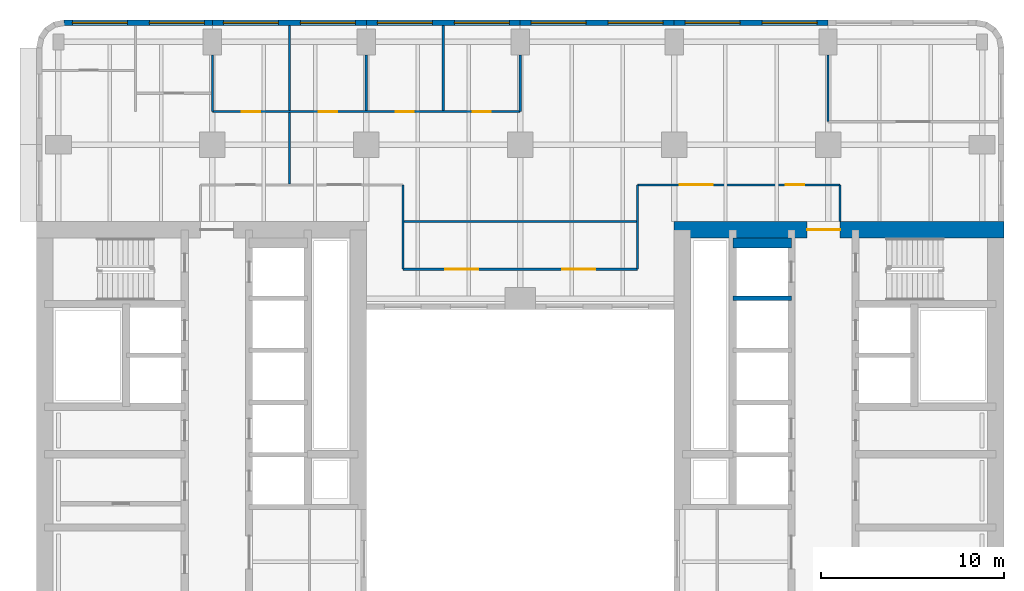
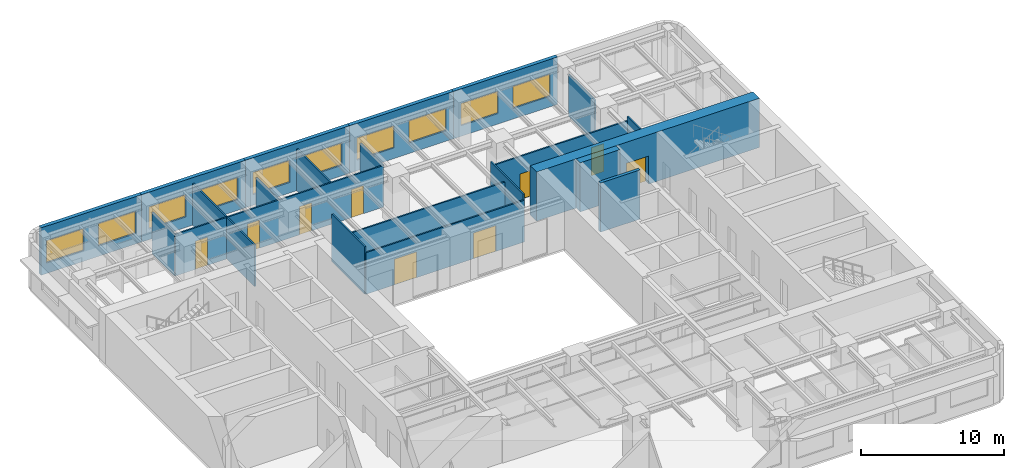
# One storey, part 7 of 11: 22 walls, 10 windows, 9 doors, 19 openings.
"""IFC4 building model written with IfcOpenShell, lengths in metres."""

from ifc_helpers import new_model, si_unit, direction, frame, frame_2d, origin, place, context, subcontext, project, spatial, rectangle, extrude, material, layer, layer_set, type_object, element, fill, save


model = new_model("IFC4")

# Units and contexts
model_context = context("Model", 3, precision=1e-05, world=origin(), true_north=direction((0.0, 1.0)))
body_context = subcontext(model_context, "Body", "Model", "MODEL_VIEW")
ifc_project = project(units=[si_unit("LENGTHUNIT", "METRE"), si_unit("AREAUNIT", "SQUARE_METRE"), si_unit("VOLUMEUNIT", "CUBIC_METRE"), si_unit("PLANEANGLEUNIT", "RADIAN"), si_unit("MASSUNIT", "GRAM", prefix="KILO")], contexts=[model_context])

# Site, building, storey
site_placement = place(None, origin())
site = spatial("IfcSite", under=ifc_project, at=site_placement, CompositionType="ELEMENT")
building_placement = place(site_placement, origin())
building = spatial("IfcBuilding", under=site, at=building_placement, Name="Claustro Exchange Tower", CompositionType="ELEMENT")
storey_placement = place(building_placement, frame((0.0, 0.0, 130.199951171875)))
storey = spatial("IfcBuildingStorey", under=building, at=storey_placement, Name="L29", CompositionType="ELEMENT", Elevation=130.199951171875)

# Wall, openings, doors
ifc_material_1 = material(Name="Laminated glass in aluminium frame", Category="aluminium")
ifc_layer_1 = layer(ifc_material_1, 0.1201171875)
ifc_layer_set_1 = layer_set([ifc_layer_1], Name="Laminated glass in aluminium frame")
wall_type_1 = type_object("IfcWallType", Name="P2 120 glazed partition", PredefinedType="PARTITIONING", material=ifc_layer_set_1)
wall_1_placement = place(storey_placement, frame((8.39990234375, 43.800048828125, 0.0), z_axis=(0.0, 0.0, 1.0), x_axis=(1.0, 0.0, 0.0)))
wall_1 = element("IfcWall", 1, at=wall_1_placement, inside=storey, type_object=wall_type_1, Name="Partition P2 L29", PredefinedType="PARTITIONING", context=body_context, shape_type="SweptSolid", body=[
    extrude(rectangle(XDim=16.800048828125, YDim=0.1201171875, at=frame_2d((8.39990234375, 0.0))), origin(), (0.0, 0.0, 1.0), 3.550048828125),
])
opening_1_placement = place(wall_1_placement, frame((1.60009765625, 0.0, 0.0)))
opening_1 = element("IfcOpeningElement", 2, at=opening_1_placement, cuts=wall_1, Name="Opening D7", PredefinedType="OPENING", context=body_context, shape_type="SweptSolid", body=[
    extrude(rectangle(XDim=1.0, YDim=2.39990234375, at=frame_2d((0.5, 1.199951171875))), frame((0.0, 0.070068359375, 0.0), z_axis=(0.0, -1.0, 0.0), x_axis=(1.0, 0.0, 0.0)), (0.0, 0.0, 1.0), 0.14013671875),
])
opening_2_placement = place(wall_1_placement, frame((5.800048828125, 0.0, 0.0)))
opening_2 = element("IfcOpeningElement", 3, at=opening_2_placement, cuts=wall_1, Name="Opening D7", PredefinedType="OPENING", context=body_context, shape_type="SweptSolid", body=[
    extrude(rectangle(XDim=1.0, YDim=2.39990234375, at=frame_2d((0.5, 1.199951171875))), frame((0.0, 0.070068359375, 0.0), z_axis=(0.0, -1.0, 0.0), x_axis=(1.0, 0.0, 0.0)), (0.0, 0.0, 1.0), 0.14013671875),
])
opening_3_placement = place(wall_1_placement, frame((10.0, 0.0, 0.0)))
opening_3 = element("IfcOpeningElement", 4, at=opening_3_placement, cuts=wall_1, Name="Opening D7", PredefinedType="OPENING", context=body_context, shape_type="SweptSolid", body=[
    extrude(rectangle(XDim=1.0, YDim=2.39990234375, at=frame_2d((0.5, 1.199951171875))), frame((0.0, 0.070068359375, 0.0), z_axis=(0.0, -1.0, 0.0), x_axis=(1.0, 0.0, 0.0)), (0.0, 0.0, 1.0), 0.14013671875),
])
opening_4_placement = place(wall_1_placement, frame((14.199951171875, 0.0, 0.0)))
opening_4 = element("IfcOpeningElement", 5, at=opening_4_placement, cuts=wall_1, Name="Opening D7", PredefinedType="OPENING", context=body_context, shape_type="SweptSolid", body=[
    extrude(rectangle(XDim=1.0, YDim=2.39990234375, at=frame_2d((0.5, 1.199951171875))), frame((0.0, 0.070068359375, 0.0), z_axis=(0.0, -1.0, 0.0), x_axis=(1.0, 0.0, 0.0)), (0.0, 0.0, 1.0), 0.14013671875),
])
ifc_material_2 = material(Name="Glass door in aluminium frame", Category="aluminium")
door_type_1 = type_object("IfcDoorType", Name="D7 1000 x 2400 glazed door", OperationType="SINGLE_SWING_LEFT", PredefinedType="DOOR", material=ifc_material_2)
door_1_placement = place(opening_1_placement, origin())
door_1 = element("IfcDoor", 6, at=door_1_placement, inside=storey, type_object=door_type_1, Name="Door D7 L29", OperationType="SINGLE_SWING_RIGHT", OverallHeight=2.39990234375, OverallWidth=1.0, PredefinedType="DOOR", context=body_context, shape_type="SweptSolid", body=[
    extrude(rectangle(XDim=1.0, YDim=2.39990234375, at=frame_2d((0.5, 1.199951171875))), frame((0.0, 0.02490234375, 0.0), z_axis=(0.0, -1.0, 0.0), x_axis=(1.0, 0.0, 0.0)), (0.0, 0.0, 1.0), 0.050048828125),
])
fill(opening_1, door_1)
door_2_placement = place(opening_2_placement, origin())
door_2 = element("IfcDoor", 7, at=door_2_placement, inside=storey, type_object=door_type_1, Name="Door D7 L29", OperationType="SINGLE_SWING_LEFT", OverallHeight=2.39990234375, OverallWidth=1.0, PredefinedType="DOOR", context=body_context, shape_type="SweptSolid", body=[
    extrude(rectangle(XDim=1.0, YDim=2.39990234375, at=frame_2d((0.5, 1.199951171875))), frame((0.0, 0.02490234375, 0.0), z_axis=(0.0, -1.0, 0.0), x_axis=(1.0, 0.0, 0.0)), (0.0, 0.0, 1.0), 0.050048828125),
])
fill(opening_2, door_2)
door_3_placement = place(opening_3_placement, origin())
door_3 = element("IfcDoor", 8, at=door_3_placement, inside=storey, type_object=door_type_1, Name="Door D7 L29", OperationType="SINGLE_SWING_LEFT", OverallHeight=2.39990234375, OverallWidth=1.0, PredefinedType="DOOR", context=body_context, shape_type="SweptSolid", body=[
    extrude(rectangle(XDim=1.0, YDim=2.39990234375, at=frame_2d((0.5, 1.199951171875))), frame((0.0, 0.02490234375, 0.0), z_axis=(0.0, -1.0, 0.0), x_axis=(1.0, 0.0, 0.0)), (0.0, 0.0, 1.0), 0.050048828125),
])
fill(opening_3, door_3)
door_4_placement = place(opening_4_placement, origin())
door_4 = element("IfcDoor", 9, at=door_4_placement, inside=storey, type_object=door_type_1, Name="Door D7 L29", OperationType="SINGLE_SWING_RIGHT", OverallHeight=2.39990234375, OverallWidth=1.0, PredefinedType="DOOR", context=body_context, shape_type="SweptSolid", body=[
    extrude(rectangle(XDim=1.0, YDim=2.39990234375, at=frame_2d((0.5, 1.199951171875))), frame((0.0, 0.02490234375, 0.0), z_axis=(0.0, -1.0, 0.0), x_axis=(1.0, 0.0, 0.0)), (0.0, 0.0, 1.0), 0.050048828125),
])
fill(opening_4, door_4)

# Walls
wall_2_placement = place(storey_placement, frame((8.39990234375, 43.800048828125, 0.0), z_axis=(0.0, 0.0, 1.0), x_axis=(0.0, 1.0, 0.0)))
element("IfcWall", 10, at=wall_2_placement, inside=storey, type_object=wall_type_1, Name="Partition P2 L29", PredefinedType="PARTITIONING", context=body_context, shape_type="SweptSolid", body=[
    extrude(rectangle(XDim=3.100830078125, YDim=0.1201171875, at=frame_2d((1.55029296875, 0.0))), origin(), (0.0, 0.0, 1.0), 3.550048828125),
])
wall_3_placement = place(storey_placement, frame((12.60009765625, 43.85791015625, 0.0), z_axis=(0.0, 0.0, 1.0), x_axis=(0.0, 1.0, 0.0)))
element("IfcWall", 11, at=wall_3_placement, inside=storey, type_object=wall_type_1, Name="Partition P2 L29", PredefinedType="PARTITIONING", context=body_context, shape_type="SweptSolid", body=[
    extrude(rectangle(XDim=4.64404296875, YDim=0.1201171875, at=frame_2d((2.322021484375, 0.0))), origin(), (0.0, 0.0, 1.0), 3.56005859375),
])
wall_4_placement = place(storey_placement, frame((16.800048828125, 43.85791015625, 0.0), z_axis=(0.0, 0.0, 1.0), x_axis=(0.0, 1.0, 0.0)))
element("IfcWall", 12, at=wall_4_placement, inside=storey, type_object=wall_type_1, Name="Partition P2 L29", PredefinedType="PARTITIONING", context=body_context, shape_type="SweptSolid", body=[
    extrude(rectangle(XDim=3.04296875, YDim=0.1201171875, at=frame_2d((1.521484375, 0.0))), origin(), (0.0, 0.0, 1.0), 3.550048828125),
])
wall_5_placement = place(storey_placement, frame((21.0, 43.85791015625, 0.0), z_axis=(0.0, 0.0, 1.0), x_axis=(0.0, 1.0, 0.0)))
element("IfcWall", 13, at=wall_5_placement, inside=storey, type_object=wall_type_1, Name="Partition P2 L29", PredefinedType="PARTITIONING", context=body_context, shape_type="SweptSolid", body=[
    extrude(rectangle(XDim=4.64404296875, YDim=0.1201171875, at=frame_2d((2.322021484375, 0.0))), origin(), (0.0, 0.0, 1.0), 3.56005859375),
])
wall_6_placement = place(storey_placement, frame((25.199951171875, 43.800048828125, 0.0), z_axis=(0.0, 0.0, 1.0), x_axis=(0.0, 1.0, 0.0)))
element("IfcWall", 14, at=wall_6_placement, inside=storey, type_object=wall_type_1, Name="Partition P2 L29", PredefinedType="PARTITIONING", context=body_context, shape_type="SweptSolid", body=[
    extrude(rectangle(XDim=3.100830078125, YDim=0.1201171875, at=frame_2d((1.55029296875, 0.0))), origin(), (0.0, 0.0, 1.0), 3.550048828125),
])
wall_7_placement = place(storey_placement, frame((42.0, 43.25, 0.0), z_axis=(0.0, 0.0, 1.0), x_axis=(0.0, 1.0, 0.0)))
element("IfcWall", 15, at=wall_7_placement, inside=storey, type_object=wall_type_1, Name="Partition P2 L29", PredefinedType="PARTITIONING", context=body_context, shape_type="SweptSolid", body=[
    extrude(rectangle(XDim=3.65087890625, YDim=0.1201171875, at=frame_2d((1.825439453125, 0.0))), origin(), (0.0, 0.0, 1.0), 3.550048828125),
])
wall_8_placement = place(storey_placement, frame((12.60009765625, 39.85791015625, 0.0), z_axis=(0.0, 0.0, 1.0), x_axis=(0.0, 1.0, 0.0)))
element("IfcWall", 16, at=wall_8_placement, inside=storey, type_object=wall_type_1, Name="Partition P2 L29", PredefinedType="PARTITIONING", context=body_context, shape_type="SweptSolid", body=[
    extrude(rectangle(XDim=3.884033203125, YDim=0.1201171875, at=frame_2d((1.94189453125, 0.0))), origin(), (0.0, 0.0, 1.0), 3.550048828125),
])

# Wall, openings, doors
wall_9_placement = place(storey_placement, frame((31.60009765625, 39.800048828125, 0.0), z_axis=(0.0, 0.0, 1.0), x_axis=(1.0, 0.0, 0.0)))
wall_9 = element("IfcWall", 17, at=wall_9_placement, inside=storey, type_object=wall_type_1, Name="Partition P2 L29", PredefinedType="PARTITIONING", context=body_context, shape_type="SweptSolid", body=[
    extrude(rectangle(XDim=11.0498046875, YDim=0.1201171875, at=frame_2d((5.52490234375, 0.0))), origin(), (0.0, 0.0, 1.0), 3.68994140625),
])
opening_5_placement = place(wall_9_placement, frame((2.300048828125, 0.0, 0.0)))
opening_5 = element("IfcOpeningElement", 18, at=opening_5_placement, cuts=wall_9, Name="Opening D2", PredefinedType="OPENING", context=body_context, shape_type="SweptSolid", body=[
    extrude(rectangle(XDim=1.800048828125, YDim=2.199951171875, at=frame_2d((0.89990234375, 1.10009765625))), frame((0.0, 0.070068359375, 0.0), z_axis=(0.0, -1.0, 0.0), x_axis=(1.0, 0.0, 0.0)), (0.0, 0.0, 1.0), 0.14013671875),
])
opening_6_placement = place(wall_9_placement, frame((8.10009765625, 0.0, 0.0)))
opening_6 = element("IfcOpeningElement", 19, at=opening_6_placement, cuts=wall_9, Name="Opening D7", PredefinedType="OPENING", context=body_context, shape_type="SweptSolid", body=[
    extrude(rectangle(XDim=1.0, YDim=2.39990234375, at=frame_2d((0.5, 1.199951171875))), frame((0.0, 0.070068359375, 0.0), z_axis=(0.0, -1.0, 0.0), x_axis=(1.0, 0.0, 0.0)), (0.0, 0.0, 1.0), 0.14013671875),
])
ifc_material_3 = material(Name="Timber door, oak veneer", Category="wood")
door_type_2 = type_object("IfcDoorType", Name="D2 1800 x 2200 double door", OperationType="DOUBLE_DOOR_SINGLE_SWING", PredefinedType="DOOR", material=ifc_material_3)
door_5_placement = place(opening_5_placement, origin())
door_5 = element("IfcDoor", 20, at=door_5_placement, inside=storey, type_object=door_type_2, Name="Double door D2 L29", OperationType="DOUBLE_DOOR_SINGLE_SWING", OverallHeight=2.199951171875, OverallWidth=1.800048828125, PredefinedType="DOOR", context=body_context, shape_type="SweptSolid", body=[
    extrude(rectangle(XDim=1.800048828125, YDim=2.199951171875, at=frame_2d((0.89990234375, 1.10009765625))), frame((0.0, 0.02490234375, 0.0), z_axis=(0.0, -1.0, 0.0), x_axis=(1.0, 0.0, 0.0)), (0.0, 0.0, 1.0), 0.050048828125),
])
fill(opening_5, door_5)
door_6_placement = place(opening_6_placement, origin())
door_6 = element("IfcDoor", 21, at=door_6_placement, inside=storey, type_object=door_type_1, Name="Door D7 L29", OperationType="SINGLE_SWING_RIGHT", OverallHeight=2.39990234375, OverallWidth=1.0, PredefinedType="DOOR", context=body_context, shape_type="SweptSolid", body=[
    extrude(rectangle(XDim=1.0, YDim=2.39990234375, at=frame_2d((0.5, 1.199951171875))), frame((0.0, 0.02490234375, 0.0), z_axis=(0.0, -1.0, 0.0), x_axis=(1.0, 0.0, 0.0)), (0.0, 0.0, 1.0), 0.050048828125),
])
fill(opening_6, door_6)

# Walls
wall_10_placement = place(storey_placement, frame((42.64990234375, 37.800048828125, 0.0), z_axis=(0.0, 0.0, 1.0), x_axis=(0.0, 1.0, 0.0)))
element("IfcWall", 22, at=wall_10_placement, inside=storey, type_object=wall_type_1, Name="Partition P2 L29", PredefinedType="PARTITIONING", context=body_context, shape_type="SweptSolid", body=[
    extrude(rectangle(XDim=2.0, YDim=0.1201171875, at=frame_2d((1.0, 0.0))), origin(), (0.0, 0.0, 1.0), 4.050048828125),
])
for number, where, z_axis, x_axis, name in (
    (23, (18.800048828125, 35.199951171875, 0.0), (0.0, 0.0, 1.0), (0.0, 1.0, 0.0), "Partition P2 L29"),
    (24, (31.60009765625, 35.199951171875, 0.0), (0.0, 0.0, 1.0), (0.0, 1.0, 0.0), "Partition P2 L29"),
):
    element("IfcWall", number, at=place(storey_placement, frame(where, z_axis=z_axis, x_axis=x_axis)), inside=storey, type_object=wall_type_1, Name=name, PredefinedType="PARTITIONING", context=body_context, shape_type="SweptSolid", body=[
        extrude(rectangle(XDim=4.60009765625, YDim=0.1201171875, at=frame_2d((2.300048828125, 0.0))), origin(), (0.0, 0.0, 1.0), 4.050048828125),
    ])

# Wall, openings, doors
wall_11_placement = place(storey_placement, frame((18.800048828125, 35.199951171875, 0.0), z_axis=(0.0, 0.0, 1.0), x_axis=(1.0, 0.0, 0.0)))
wall_11 = element("IfcWall", 25, at=wall_11_placement, inside=storey, type_object=wall_type_1, Name="Partition P2 L29", PredefinedType="PARTITIONING", context=body_context, shape_type="SweptSolid", body=[
    extrude(rectangle(XDim=12.800048828125, YDim=0.1201171875, at=frame_2d((6.39990234375, 0.0))), origin(), (0.0, 0.0, 1.0), 3.550048828125),
])
opening_7_placement = place(wall_11_placement, frame((2.300048828125, 0.0, 0.0)))
opening_7 = element("IfcOpeningElement", 26, at=opening_7_placement, cuts=wall_11, Name="Opening D2", PredefinedType="OPENING", context=body_context, shape_type="SweptSolid", body=[
    extrude(rectangle(XDim=1.800048828125, YDim=2.199951171875, at=frame_2d((0.89990234375, 1.10009765625))), frame((0.0, 0.070068359375, 0.0), z_axis=(0.0, -1.0, 0.0), x_axis=(1.0, 0.0, 0.0)), (0.0, 0.0, 1.0), 0.14013671875),
])
opening_8_placement = place(wall_11_placement, frame((8.699951171875, 0.0, 0.0)))
opening_8 = element("IfcOpeningElement", 27, at=opening_8_placement, cuts=wall_11, Name="Opening D2", PredefinedType="OPENING", context=body_context, shape_type="SweptSolid", body=[
    extrude(rectangle(XDim=1.800048828125, YDim=2.199951171875, at=frame_2d((0.89990234375, 1.10009765625))), frame((0.0, 0.070068359375, 0.0), z_axis=(0.0, -1.0, 0.0), x_axis=(1.0, 0.0, 0.0)), (0.0, 0.0, 1.0), 0.14013671875),
])
door_7_placement = place(opening_7_placement, origin())
door_7 = element("IfcDoor", 28, at=door_7_placement, inside=storey, type_object=door_type_2, Name="Double door D2 L29", OperationType="DOUBLE_DOOR_SINGLE_SWING", OverallHeight=2.199951171875, OverallWidth=1.800048828125, PredefinedType="DOOR", context=body_context, shape_type="SweptSolid", body=[
    extrude(rectangle(XDim=1.800048828125, YDim=2.199951171875, at=frame_2d((0.89990234375, 1.10009765625))), frame((0.0, 0.02490234375, 0.0), z_axis=(0.0, -1.0, 0.0), x_axis=(1.0, 0.0, 0.0)), (0.0, 0.0, 1.0), 0.050048828125),
])
fill(opening_7, door_7)
door_8_placement = place(opening_8_placement, origin())
door_8 = element("IfcDoor", 29, at=door_8_placement, inside=storey, type_object=door_type_2, Name="Double door D2 L29", OperationType="DOUBLE_DOOR_SINGLE_SWING", OverallHeight=2.199951171875, OverallWidth=1.800048828125, PredefinedType="DOOR", context=body_context, shape_type="SweptSolid", body=[
    extrude(rectangle(XDim=1.800048828125, YDim=2.199951171875, at=frame_2d((0.89990234375, 1.10009765625))), frame((0.0, 0.02490234375, 0.0), z_axis=(0.0, -1.0, 0.0), x_axis=(1.0, 0.0, 0.0)), (0.0, 0.0, 1.0), 0.050048828125),
])
fill(opening_8, door_8)

# Wall
wall_12_placement = place(storey_placement, frame((18.85791015625, 37.800048828125, 0.0), z_axis=(0.0, 0.0, 1.0), x_axis=(1.0, 0.0, 0.0)))
element("IfcWall", 30, at=wall_12_placement, inside=storey, type_object=wall_type_1, Name="Partition P2 L29", PredefinedType="PARTITIONING", context=body_context, shape_type="SweptSolid", body=[
    extrude(rectangle(XDim=12.68408203125, YDim=0.1201171875, at=frame_2d((6.342041015625, 0.0))), origin(), (0.0, 0.0, 1.0), 3.550048828125),
])

# Wall, openings, windows
ifc_material_4 = material(Name="Concrete HA-40 (C40/50), precast, white cement, acid-etched", Category="concrete")
ifc_layer_2 = layer(ifc_material_4, 0.300048828125)
ifc_layer_set_2 = layer_set([ifc_layer_2], Name="Concrete HA-40 (C40/50), precast, white cement, acid-etched")
wall_type_2 = type_object("IfcWallType", Name="PC1 300 precast concrete pier panel", PredefinedType="SOLIDWALL", material=ifc_layer_set_2)
wall_13_placement = place(storey_placement, frame((0.314697265625, 48.64990234375, 0.0), z_axis=(0.0, 0.0, 1.0), x_axis=(1.0, 0.0, 0.0)))
wall_13 = element("IfcWall", 31, at=wall_13_placement, inside=storey, type_object=wall_type_2, Name="Precast pier panel PC1 L29", PredefinedType="SOLIDWALL", context=body_context, shape_type="SweptSolid", body=[
    extrude(rectangle(XDim=8.085205078125, YDim=0.300048828125, at=frame_2d((4.04248046875, 0.0))), origin(), (0.0, 0.0, 1.0), 4.050048828125),
])
opening_9_placement = place(wall_13_placement, frame((0.442626953125, 0.0, 0.89990234375)))
opening_9 = element("IfcOpeningElement", 32, at=opening_9_placement, cuts=wall_13, Name="Opening W1", PredefinedType="OPENING", context=body_context, shape_type="SweptSolid", body=[
    extrude(rectangle(XDim=3.0, YDim=1.89990234375, at=frame_2d((1.5, 0.949951171875))), frame((0.0, 0.159912109375, 0.0), z_axis=(0.0, -1.0, 0.0), x_axis=(1.0, 0.0, 0.0)), (0.0, 0.0, 1.0), 0.320068359375),
])
opening_10_placement = place(wall_13_placement, frame((4.642578125, 0.0, 0.89990234375)))
opening_10 = element("IfcOpeningElement", 33, at=opening_10_placement, cuts=wall_13, Name="Opening W1", PredefinedType="OPENING", context=body_context, shape_type="SweptSolid", body=[
    extrude(rectangle(XDim=3.0, YDim=1.89990234375, at=frame_2d((1.5, 0.949951171875))), frame((0.0, 0.159912109375, 0.0), z_axis=(0.0, -1.0, 0.0), x_axis=(1.0, 0.0, 0.0)), (0.0, 0.0, 1.0), 0.320068359375),
])
ifc_material_5 = material(Name="Aluminium frame, clear double glazing", Category="aluminium")
window_type = type_object("IfcWindowType", Name="W1 3000 x 1900 window", PartitioningType="SINGLE_PANEL", PredefinedType="WINDOW", material=ifc_material_5)
window_1_placement = place(opening_9_placement, origin())
window_1 = element("IfcWindow", 34, at=window_1_placement, inside=storey, type_object=window_type, Name="Window W1 L29", OverallHeight=1.89990234375, OverallWidth=3.0, PartitioningType="SINGLE_PANEL", PredefinedType="WINDOW", context=body_context, shape_type="SweptSolid", body=[
    extrude(rectangle(XDim=3.0, YDim=1.89990234375, at=frame_2d((1.5, 0.949951171875))), frame((0.0, 0.030029296875, 0.0), z_axis=(0.0, -1.0, 0.0), x_axis=(1.0, 0.0, 0.0)), (0.0, 0.0, 1.0), 0.06005859375),
])
fill(opening_9, window_1)
window_2_placement = place(opening_10_placement, origin())
window_2 = element("IfcWindow", 35, at=window_2_placement, inside=storey, type_object=window_type, Name="Window W1 L29", OverallHeight=1.89990234375, OverallWidth=3.0, PartitioningType="SINGLE_PANEL", PredefinedType="WINDOW", context=body_context, shape_type="SweptSolid", body=[
    extrude(rectangle(XDim=3.0, YDim=1.89990234375, at=frame_2d((1.5, 0.949951171875))), frame((0.0, 0.030029296875, 0.0), z_axis=(0.0, -1.0, 0.0), x_axis=(1.0, 0.0, 0.0)), (0.0, 0.0, 1.0), 0.06005859375),
])
fill(opening_10, window_2)

wall_14_placement = place(storey_placement, frame((8.39990234375, 48.64990234375, 0.0), z_axis=(0.0, 0.0, 1.0), x_axis=(1.0, 0.0, 0.0)))
wall_14 = element("IfcWall", 36, at=wall_14_placement, inside=storey, type_object=wall_type_2, Name="Precast pier panel PC1 L29", PredefinedType="SOLIDWALL", context=body_context, shape_type="SweptSolid", body=[
    extrude(rectangle(XDim=8.400146484375, YDim=0.300048828125, at=frame_2d((4.2001953125, 0.0))), origin(), (0.0, 0.0, 1.0), 4.050048828125),
])
opening_11_placement = place(wall_14_placement, frame((0.60009765625, 0.0, 0.89990234375)))
opening_11 = element("IfcOpeningElement", 37, at=opening_11_placement, cuts=wall_14, Name="Opening W1", PredefinedType="OPENING", context=body_context, shape_type="SweptSolid", body=[
    extrude(rectangle(XDim=3.0, YDim=1.89990234375, at=frame_2d((1.5, 0.949951171875))), frame((0.0, 0.159912109375, 0.0), z_axis=(0.0, -1.0, 0.0), x_axis=(1.0, 0.0, 0.0)), (0.0, 0.0, 1.0), 0.320068359375),
])
opening_12_placement = place(wall_14_placement, frame((4.800048828125, 0.0, 0.89990234375)))
opening_12 = element("IfcOpeningElement", 38, at=opening_12_placement, cuts=wall_14, Name="Opening W1", PredefinedType="OPENING", context=body_context, shape_type="SweptSolid", body=[
    extrude(rectangle(XDim=3.0, YDim=1.89990234375, at=frame_2d((1.5, 0.949951171875))), frame((0.0, 0.159912109375, 0.0), z_axis=(0.0, -1.0, 0.0), x_axis=(1.0, 0.0, 0.0)), (0.0, 0.0, 1.0), 0.320068359375),
])
window_3_placement = place(opening_11_placement, origin())
window_3 = element("IfcWindow", 39, at=window_3_placement, inside=storey, type_object=window_type, Name="Window W1 L29", OverallHeight=1.89990234375, OverallWidth=3.0, PartitioningType="SINGLE_PANEL", PredefinedType="WINDOW", context=body_context, shape_type="SweptSolid", body=[
    extrude(rectangle(XDim=3.0, YDim=1.89990234375, at=frame_2d((1.5, 0.949951171875))), frame((0.0, 0.030029296875, 0.0), z_axis=(0.0, -1.0, 0.0), x_axis=(1.0, 0.0, 0.0)), (0.0, 0.0, 1.0), 0.06005859375),
])
fill(opening_11, window_3)
window_4_placement = place(opening_12_placement, origin())
window_4 = element("IfcWindow", 40, at=window_4_placement, inside=storey, type_object=window_type, Name="Window W1 L29", OverallHeight=1.89990234375, OverallWidth=3.0, PartitioningType="SINGLE_PANEL", PredefinedType="WINDOW", context=body_context, shape_type="SweptSolid", body=[
    extrude(rectangle(XDim=3.0, YDim=1.89990234375, at=frame_2d((1.5, 0.949951171875))), frame((0.0, 0.030029296875, 0.0), z_axis=(0.0, -1.0, 0.0), x_axis=(1.0, 0.0, 0.0)), (0.0, 0.0, 1.0), 0.06005859375),
])
fill(opening_12, window_4)

wall_15_placement = place(storey_placement, frame((16.800048828125, 48.64990234375, 0.0), z_axis=(0.0, 0.0, 1.0), x_axis=(1.0, 0.0, 0.0)))
wall_15 = element("IfcWall", 41, at=wall_15_placement, inside=storey, type_object=wall_type_2, Name="Precast pier panel PC1 L29", PredefinedType="SOLIDWALL", context=body_context, shape_type="SweptSolid", body=[
    extrude(rectangle(XDim=8.39990234375, YDim=0.300048828125, at=frame_2d((4.199951171875, 0.0))), origin(), (0.0, 0.0, 1.0), 4.050048828125),
])
opening_13_placement = place(wall_15_placement, frame((0.60009765625, 0.0, 0.89990234375)))
opening_13 = element("IfcOpeningElement", 42, at=opening_13_placement, cuts=wall_15, Name="Opening W1", PredefinedType="OPENING", context=body_context, shape_type="SweptSolid", body=[
    extrude(rectangle(XDim=3.0, YDim=1.89990234375, at=frame_2d((1.5, 0.949951171875))), frame((0.0, 0.159912109375, 0.0), z_axis=(0.0, -1.0, 0.0), x_axis=(1.0, 0.0, 0.0)), (0.0, 0.0, 1.0), 0.320068359375),
])
opening_14_placement = place(wall_15_placement, frame((4.800048828125, 0.0, 0.89990234375)))
opening_14 = element("IfcOpeningElement", 43, at=opening_14_placement, cuts=wall_15, Name="Opening W1", PredefinedType="OPENING", context=body_context, shape_type="SweptSolid", body=[
    extrude(rectangle(XDim=3.0, YDim=1.89990234375, at=frame_2d((1.5, 0.949951171875))), frame((0.0, 0.159912109375, 0.0), z_axis=(0.0, -1.0, 0.0), x_axis=(1.0, 0.0, 0.0)), (0.0, 0.0, 1.0), 0.320068359375),
])
window_5_placement = place(opening_13_placement, origin())
window_5 = element("IfcWindow", 44, at=window_5_placement, inside=storey, type_object=window_type, Name="Window W1 L29", OverallHeight=1.89990234375, OverallWidth=3.0, PartitioningType="SINGLE_PANEL", PredefinedType="WINDOW", context=body_context, shape_type="SweptSolid", body=[
    extrude(rectangle(XDim=3.0, YDim=1.89990234375, at=frame_2d((1.5, 0.949951171875))), frame((0.0, 0.030029296875, 0.0), z_axis=(0.0, -1.0, 0.0), x_axis=(1.0, 0.0, 0.0)), (0.0, 0.0, 1.0), 0.06005859375),
])
fill(opening_13, window_5)
window_6_placement = place(opening_14_placement, origin())
window_6 = element("IfcWindow", 45, at=window_6_placement, inside=storey, type_object=window_type, Name="Window W1 L29", OverallHeight=1.89990234375, OverallWidth=3.0, PartitioningType="SINGLE_PANEL", PredefinedType="WINDOW", context=body_context, shape_type="SweptSolid", body=[
    extrude(rectangle(XDim=3.0, YDim=1.89990234375, at=frame_2d((1.5, 0.949951171875))), frame((0.0, 0.030029296875, 0.0), z_axis=(0.0, -1.0, 0.0), x_axis=(1.0, 0.0, 0.0)), (0.0, 0.0, 1.0), 0.06005859375),
])
fill(opening_14, window_6)

wall_16_placement = place(storey_placement, frame((25.199951171875, 48.64990234375, 0.0), z_axis=(0.0, 0.0, 1.0), x_axis=(1.0, 0.0, 0.0)))
wall_16 = element("IfcWall", 46, at=wall_16_placement, inside=storey, type_object=wall_type_2, Name="Precast pier panel PC1 L29", PredefinedType="SOLIDWALL", context=body_context, shape_type="SweptSolid", body=[
    extrude(rectangle(XDim=8.400146484375, YDim=0.300048828125, at=frame_2d((4.2001953125, 0.0))), origin(), (0.0, 0.0, 1.0), 4.050048828125),
])
opening_15_placement = place(wall_16_placement, frame((0.60009765625, 0.0, 0.89990234375)))
opening_15 = element("IfcOpeningElement", 47, at=opening_15_placement, cuts=wall_16, Name="Opening W1", PredefinedType="OPENING", context=body_context, shape_type="SweptSolid", body=[
    extrude(rectangle(XDim=3.0, YDim=1.89990234375, at=frame_2d((1.5, 0.949951171875))), frame((0.0, 0.159912109375, 0.0), z_axis=(0.0, -1.0, 0.0), x_axis=(1.0, 0.0, 0.0)), (0.0, 0.0, 1.0), 0.320068359375),
])
opening_16_placement = place(wall_16_placement, frame((4.800048828125, 0.0, 0.89990234375)))
opening_16 = element("IfcOpeningElement", 48, at=opening_16_placement, cuts=wall_16, Name="Opening W1", PredefinedType="OPENING", context=body_context, shape_type="SweptSolid", body=[
    extrude(rectangle(XDim=3.0, YDim=1.89990234375, at=frame_2d((1.5, 0.949951171875))), frame((0.0, 0.159912109375, 0.0), z_axis=(0.0, -1.0, 0.0), x_axis=(1.0, 0.0, 0.0)), (0.0, 0.0, 1.0), 0.320068359375),
])
window_7_placement = place(opening_15_placement, origin())
window_7 = element("IfcWindow", 49, at=window_7_placement, inside=storey, type_object=window_type, Name="Window W1 L29", OverallHeight=1.89990234375, OverallWidth=3.0, PartitioningType="SINGLE_PANEL", PredefinedType="WINDOW", context=body_context, shape_type="SweptSolid", body=[
    extrude(rectangle(XDim=3.0, YDim=1.89990234375, at=frame_2d((1.5, 0.949951171875))), frame((0.0, 0.030029296875, 0.0), z_axis=(0.0, -1.0, 0.0), x_axis=(1.0, 0.0, 0.0)), (0.0, 0.0, 1.0), 0.06005859375),
])
fill(opening_15, window_7)
window_8_placement = place(opening_16_placement, origin())
window_8 = element("IfcWindow", 50, at=window_8_placement, inside=storey, type_object=window_type, Name="Window W1 L29", OverallHeight=1.89990234375, OverallWidth=3.0, PartitioningType="SINGLE_PANEL", PredefinedType="WINDOW", context=body_context, shape_type="SweptSolid", body=[
    extrude(rectangle(XDim=3.0, YDim=1.89990234375, at=frame_2d((1.5, 0.949951171875))), frame((0.0, 0.030029296875, 0.0), z_axis=(0.0, -1.0, 0.0), x_axis=(1.0, 0.0, 0.0)), (0.0, 0.0, 1.0), 0.06005859375),
])
fill(opening_16, window_8)

wall_17_placement = place(storey_placement, frame((33.60009765625, 48.64990234375, 0.0), z_axis=(0.0, 0.0, 1.0), x_axis=(1.0, 0.0, 0.0)))
wall_17 = element("IfcWall", 51, at=wall_17_placement, inside=storey, type_object=wall_type_2, Name="Precast pier panel PC1 L29", PredefinedType="SOLIDWALL", context=body_context, shape_type="SweptSolid", body=[
    extrude(rectangle(XDim=8.39990234375, YDim=0.300048828125, at=frame_2d((4.199951171875, 0.0))), origin(), (0.0, 0.0, 1.0), 4.050048828125),
])
opening_17_placement = place(wall_17_placement, frame((0.60009765625, 0.0, 0.89990234375)))
opening_17 = element("IfcOpeningElement", 52, at=opening_17_placement, cuts=wall_17, Name="Opening W1", PredefinedType="OPENING", context=body_context, shape_type="SweptSolid", body=[
    extrude(rectangle(XDim=3.0, YDim=1.89990234375, at=frame_2d((1.5, 0.949951171875))), frame((0.0, 0.159912109375, 0.0), z_axis=(0.0, -1.0, 0.0), x_axis=(1.0, 0.0, 0.0)), (0.0, 0.0, 1.0), 0.320068359375),
])
opening_18_placement = place(wall_17_placement, frame((4.800048828125, 0.0, 0.89990234375)))
opening_18 = element("IfcOpeningElement", 53, at=opening_18_placement, cuts=wall_17, Name="Opening W1", PredefinedType="OPENING", context=body_context, shape_type="SweptSolid", body=[
    extrude(rectangle(XDim=3.0, YDim=1.89990234375, at=frame_2d((1.5, 0.949951171875))), frame((0.0, 0.159912109375, 0.0), z_axis=(0.0, -1.0, 0.0), x_axis=(1.0, 0.0, 0.0)), (0.0, 0.0, 1.0), 0.320068359375),
])
window_9_placement = place(opening_17_placement, origin())
window_9 = element("IfcWindow", 54, at=window_9_placement, inside=storey, type_object=window_type, Name="Window W1 L29", OverallHeight=1.89990234375, OverallWidth=3.0, PartitioningType="SINGLE_PANEL", PredefinedType="WINDOW", context=body_context, shape_type="SweptSolid", body=[
    extrude(rectangle(XDim=3.0, YDim=1.89990234375, at=frame_2d((1.5, 0.949951171875))), frame((0.0, 0.030029296875, 0.0), z_axis=(0.0, -1.0, 0.0), x_axis=(1.0, 0.0, 0.0)), (0.0, 0.0, 1.0), 0.06005859375),
])
fill(opening_17, window_9)
window_10_placement = place(opening_18_placement, origin())
window_10 = element("IfcWindow", 55, at=window_10_placement, inside=storey, type_object=window_type, Name="Window W1 L29", OverallHeight=1.89990234375, OverallWidth=3.0, PartitioningType="SINGLE_PANEL", PredefinedType="WINDOW", context=body_context, shape_type="SweptSolid", body=[
    extrude(rectangle(XDim=3.0, YDim=1.89990234375, at=frame_2d((1.5, 0.949951171875))), frame((0.0, 0.030029296875, 0.0), z_axis=(0.0, -1.0, 0.0), x_axis=(1.0, 0.0, 0.0)), (0.0, 0.0, 1.0), 0.06005859375),
])
fill(opening_18, window_10)

# Wall, opening, door
ifc_material_6 = material(Name="Concrete HA-70 (C70/85)", Category="concrete")
ifc_layer_3 = layer(ifc_material_6, 0.89990234375)
ifc_layer_set_3 = layer_set([ifc_layer_3], Name="Concrete HA-70 (C70/85)")
wall_type_3 = type_object("IfcWallType", Name="SW1 900 core shear wall", PredefinedType="SHEAR", material=ifc_layer_set_3)
wall_18_placement = place(storey_placement, frame((33.60009765625, 37.35009765625, 0.0), z_axis=(0.0, 0.0, 1.0), x_axis=(1.0, 0.0, 0.0)))
wall_18 = element("IfcWall", 56, at=wall_18_placement, inside=storey, type_object=wall_type_3, Name="Core wall SW1 E core N face L29", PredefinedType="SHEAR", context=body_context, shape_type="SweptSolid", body=[
    extrude(rectangle(XDim=18.0, YDim=0.89990234375, at=frame_2d((9.0, 0.0))), origin(), (0.0, 0.0, 1.0), 4.199951171875),
])
opening_19_placement = place(wall_18_placement, frame((7.25, 0.0, 0.0)))
opening_19 = element("IfcOpeningElement", 57, at=opening_19_placement, cuts=wall_18, Name="Opening D3", PredefinedType="OPENING", context=body_context, shape_type="SweptSolid", body=[
    extrude(rectangle(XDim=1.800048828125, YDim=2.39990234375, at=frame_2d((0.89990234375, 1.199951171875))), frame((0.0, 0.4599609375, 0.0), z_axis=(0.0, -1.0, 0.0), x_axis=(1.0, 0.0, 0.0)), (0.0, 0.0, 1.0), 0.919921875),
])
ifc_material_7 = material(Name="Steel fire door, painted", Category="steel")
door_type_3 = type_object("IfcDoorType", Name="D3 1800 x 2400 fire-rated lobby double door", OperationType="DOUBLE_DOOR_SINGLE_SWING", PredefinedType="DOOR", material=ifc_material_7)
door_9_placement = place(opening_19_placement, frame((1.800048828125, 0.0, 0.0), z_axis=(0.0, 0.0, 1.0), x_axis=(-1.0, 0.0, 0.0)))
door_9 = element("IfcDoor", 58, at=door_9_placement, inside=storey, type_object=door_type_3, Name="Lift lobby door D3 L29", OperationType="DOUBLE_DOOR_SINGLE_SWING", OverallHeight=2.39990234375, OverallWidth=1.800048828125, PredefinedType="DOOR", context=body_context, shape_type="SweptSolid", body=[
    extrude(rectangle(XDim=1.800048828125, YDim=2.39990234375, at=frame_2d((0.89990234375, 1.199951171875))), frame((0.0, 0.02490234375, 0.0), z_axis=(0.0, -1.0, 0.0), x_axis=(1.0, 0.0, 0.0)), (0.0, 0.0, 1.0), 0.050048828125),
])
fill(opening_19, door_9)

# Walls
ifc_material_8 = material(Name="Concrete HA-50 (C50/60)", Category="concrete")
ifc_layer_4 = layer(ifc_material_8, 0.25)
ifc_layer_set_4 = layer_set([ifc_layer_4], Name="Concrete HA-50 (C50/60)")
wall_type_4 = type_object("IfcWallType", Name="SW5 250 lift shaft divider wall", PredefinedType="SHEAR", material=ifc_layer_set_4)
wall_19_placement = place(storey_placement, frame((40.0, 33.625, 0.0), z_axis=(0.0, 0.0, 1.0), x_axis=(-1.0, 0.0, 0.0)))
element("IfcWall", 59, at=wall_19_placement, inside=storey, type_object=wall_type_4, Name="Lift shaft wall E core L29", PredefinedType="SHEAR", context=body_context, shape_type="SweptSolid", body=[
    extrude(rectangle(XDim=3.199951171875, YDim=0.25, at=frame_2d((1.60009765625, 0.0))), origin(), (0.0, 0.0, 1.0), 4.199951171875),
])
ifc_material_9 = material(Name="Concrete HA-50 (C50/60)", Category="concrete")
ifc_layer_5 = layer(ifc_material_9, 0.550048828125)
ifc_layer_set_5 = layer_set([ifc_layer_5], Name="Concrete HA-50 (C50/60)")
wall_type_5 = type_object("IfcWallType", Name="SW6 550 lift shaft end wall", PredefinedType="SHEAR", material=ifc_layer_set_5)
wall_20_placement = place(storey_placement, frame((40.0, 36.625, 0.0), z_axis=(0.0, 0.0, 1.0), x_axis=(-1.0, 0.0, 0.0)))
element("IfcWall", 60, at=wall_20_placement, inside=storey, type_object=wall_type_5, Name="Lift shaft wall E core L29", PredefinedType="SHEAR", context=body_context, shape_type="SweptSolid", body=[
    extrude(rectangle(XDim=3.199951171875, YDim=0.550048828125, at=frame_2d((1.60009765625, 0.0))), origin(), (0.0, 0.0, 1.0), 4.199951171875),
])

save(model, "model.ifc")
